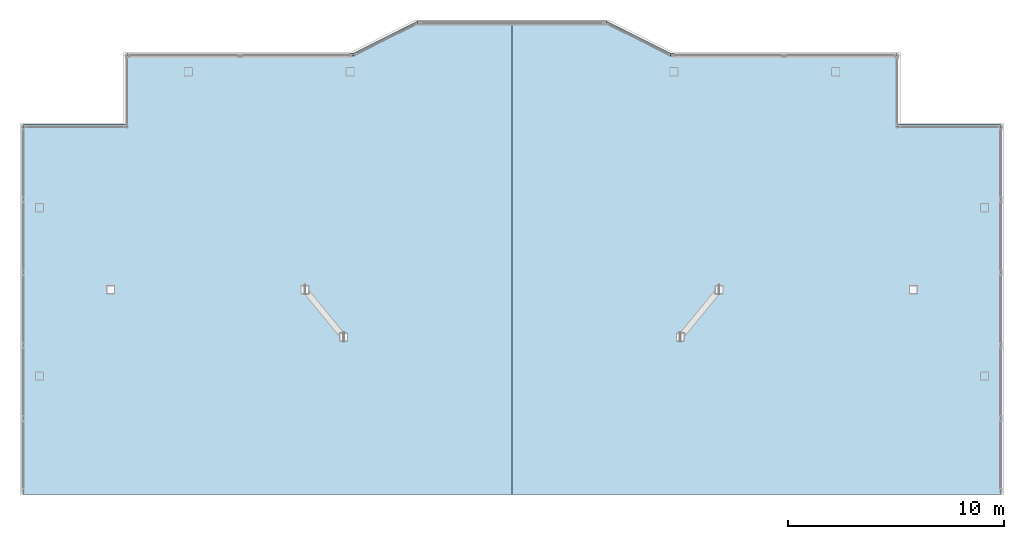
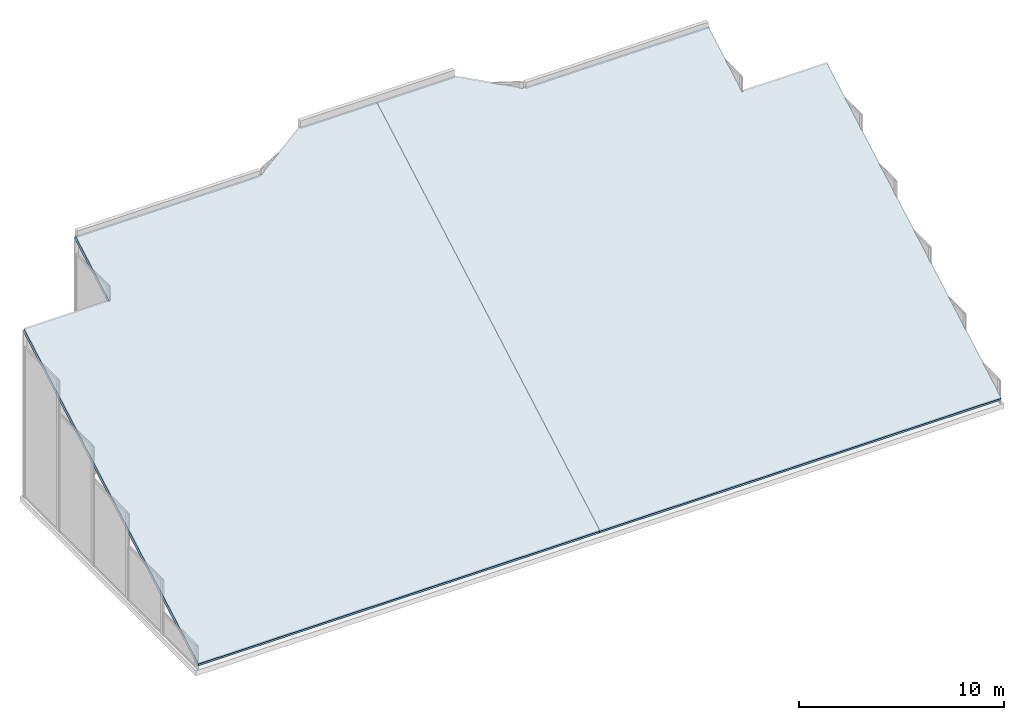
# One storey, part 10 of 11: 2 roofs.
"""IFC4 building model written with IfcOpenShell, lengths in metres."""

from ifc_helpers import new_model, si_unit, direction, frame, origin, place, context, subcontext, project, spatial, polyline, outline, extrude, material, layer, layer_set, type_object, element, save


model = new_model("IFC4")

# Units and contexts
model_context = context("Model", 3, precision=1e-05, world=origin(), true_north=direction((0.0, 1.0)))
body_context = subcontext(model_context, "Body", "Model", "MODEL_VIEW")
ifc_project = project(units=[si_unit("LENGTHUNIT", "METRE"), si_unit("AREAUNIT", "SQUARE_METRE"), si_unit("VOLUMEUNIT", "CUBIC_METRE"), si_unit("PLANEANGLEUNIT", "RADIAN"), si_unit("MASSUNIT", "GRAM", prefix="KILO")], contexts=[model_context])

# Site, building, storey
site_placement = place(None, origin())
site = spatial("IfcSite", under=ifc_project, at=site_placement, CompositionType="ELEMENT")
building_placement = place(site_placement, origin())
building = spatial("IfcBuilding", under=site, at=building_placement, Name="Tarnavaz Court Tower", CompositionType="ELEMENT")
storey_placement = place(building_placement, frame((0.0, 0.0, 304.050048828125)))
storey = spatial("IfcBuildingStorey", under=building, at=storey_placement, Name="C06", CompositionType="ELEMENT", Elevation=304.050048828125)

# Roofs
ifc_material = material(Name="Precast Concrete C40/50", Category="concrete")
ifc_layer = layer(ifc_material, 0.219970703125)
ifc_layer_set = layer_set([ifc_layer], Name="Precast Concrete C40/50")
roof_type = type_object("IfcRoofType", Name="RF-CROWN-220", PredefinedType="SHED_ROOF", material=ifc_layer_set)
roof_1_placement = place(storey_placement, frame((-22.64990234375, 17.550048828125, 10.00048828125), z_axis=(1.490345e-06, -0.492279286097, 0.87043730646), x_axis=(0.999999999999, 7.33666e-07, -1.297252e-06)))
element("IfcRoof", 1, at=roof_1_placement, inside=storey, type_object=roof_type, Name="C06 Slanted-Cut Crown Roof Deck W", PredefinedType="SHED_ROOF", context=body_context, shape_type="SweptSolid", body=[
    extrude(outline(polyline([(0.0, 0.0), (4.799804687494669, 0.0), (4.799804687682541, 3.7911826011632335), (15.299804687670882, 3.7911826011632335), (18.299804687592705, 5.514482730578784), (22.649902343837873, 5.514482730578784), (22.649902343853576, -19.5879602378711), (1.2872787188481752e-10, -19.5879602378711), (0.0, 0.0)])), origin(), (0.0, 0.0, -1.0), 0.219970703125),
])
roof_2_placement = place(storey_placement, frame((4.35009765625, 22.35009765625, 12.715087890625), z_axis=(-1.490345e-06, -0.492279286097, 0.87043730646), x_axis=(0.867118541644, -0.433567052897, -0.245204089238)))
element("IfcRoof", 2, at=roof_2_placement, inside=storey, type_object=roof_type, Name="C06 Slanted-Cut Crown Roof Deck E", PredefinedType="SHED_ROOF", context=body_context, shape_type="SweptSolid", body=[
    extrude(outline(polyline([(0.0, 0.0), (3.4597345758850606, -2.220446049250313e-16), (12.564479263152261, 5.230069232757329), (14.452874261232383, 1.9426645046186115), (18.614873902035797, 4.333456011222246), (28.371672775512497, -12.651627504113886), (8.731522486809762, -23.933585349161984), (-3.772050335698636, -2.1667916106136094), (0.0, 0.0)])), origin(), (0.0, 0.0, -1.0), 0.219970703125),
])

save(model, "model.ifc")
